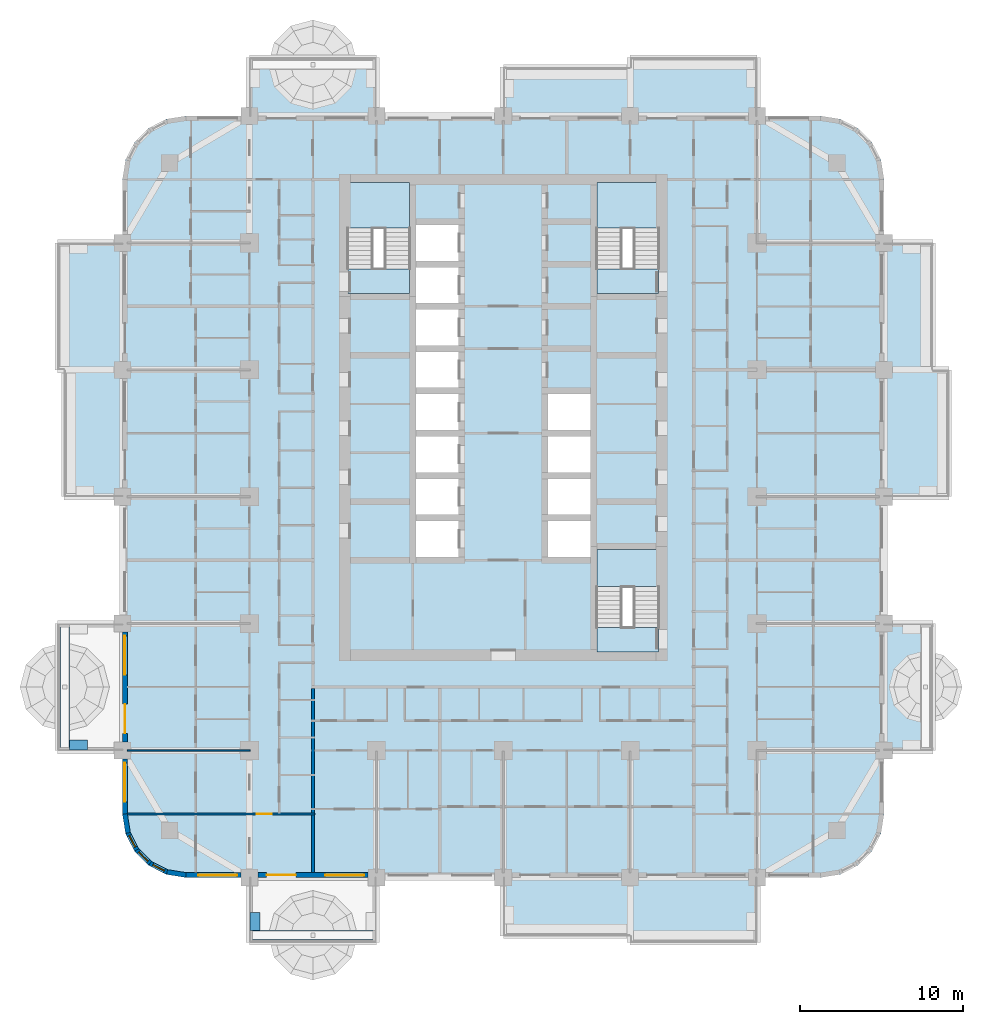
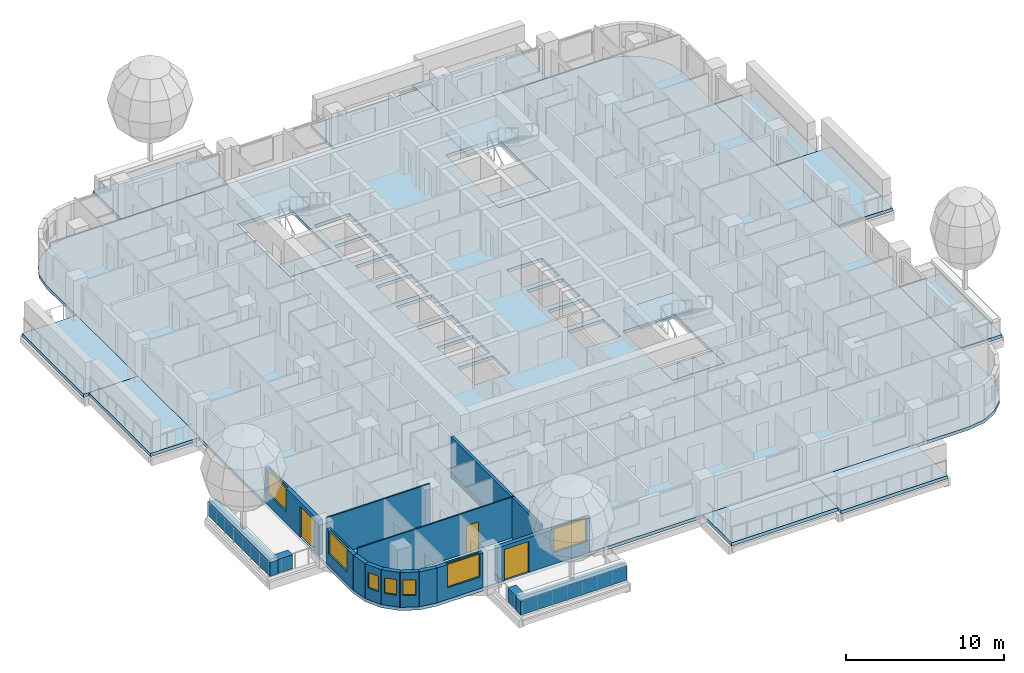
# One storey, part 2 of 19: 17 slabs, 16 walls, 7 windows, 3 doors, 10 openings, 3 elements without a shape of their own.
"""IFC4 building model written with IfcOpenShell, lengths in metres."""

import ifcopenshell
import ifcopenshell.guid

model = None  # the IFC model being written
_history = None  # IfcOwnerHistory: only IFC2X3 demands one
_inside = {}  # id of a spatial element -> (the spatial element, [elements in it])
_under = {}  # id of a project, library or spatial element -> (it, [spatial elements below it])
_declared = {}  # id of a project -> (the project, [libraries it declares])
_typed = {}  # id of a type object -> (the type object, [elements of that type])
_made_of = {}  # id of a material, layer set ... -> (it, [elements and type objects made of it])


def new_model(schema):
    """Start an empty IFC model of exactly this schema.

    Asked for "IFC4X3", IfcOpenShell would pick the latest addendum, in which some entities
    have other attributes; the version numbers below select the first issue.
    IFC2X3 requires an IfcOwnerHistory on every rooted entity: one is made here for all.
    """
    global model, _history
    if schema == "IFC4X3":
        model = ifcopenshell.file(schema_version=(4, 3, 0, 0))
    else:
        model = ifcopenshell.file(schema=schema)
    _inside.clear()
    _under.clear()
    _declared.clear()
    _typed.clear()
    _made_of.clear()
    _history = None
    if model.schema == "IFC2X3":
        org = make("IfcOrganization", Name="unknown")
        user = make(
            "IfcPersonAndOrganization",
            ThePerson=make("IfcPerson", FamilyName="unknown"),
            TheOrganization=org,
        )
        app = make(
            "IfcApplication",
            ApplicationDeveloper=org,
            Version="unknown",
            ApplicationFullName="unknown",
            ApplicationIdentifier="unknown",
        )
        _history = make(
            "IfcOwnerHistory",
            OwningUser=user,
            OwningApplication=app,
            ChangeAction="ADDED",
            CreationDate=0,
        )
    return model


def make(cls, **values):
    """One entity of the class cls with the attributes given. An attribute that is None is left unset."""
    return model.create_entity(
        cls, **{name: value for name, value in values.items() if value is not None}
    )


def rooted(cls, **values):
    """An entity with a GlobalId (a new one), such as an element, a storey or a relation."""
    return make(cls, GlobalId=ifcopenshell.guid.new(), OwnerHistory=_history, **values)


def si_unit(unit_type, name, prefix=None):
    """IfcSIUnit, for example si_unit("LENGTHUNIT", "METRE", prefix="MILLI")."""
    return make("IfcSIUnit", UnitType=unit_type, Prefix=prefix, Name=name)


def assignment(units):
    """IfcUnitAssignment: the units of a project."""
    return None if units is None else make("IfcUnitAssignment", Units=units)


def point(xyz):
    """IfcCartesianPoint."""
    return None if xyz is None else make("IfcCartesianPoint", Coordinates=xyz)


def direction(xyz):
    """IfcDirection."""
    return None if xyz is None else make("IfcDirection", DirectionRatios=xyz)


def frame(location, z_axis=None, x_axis=None):
    """IfcAxis2Placement3D, a coordinate frame: its origin and axes. An axis left out is left unset."""
    return make(
        "IfcAxis2Placement3D",
        Location=point(location),
        Axis=direction(z_axis),
        RefDirection=direction(x_axis),
    )


def frame_2d(location, x_axis=None):
    """IfcAxis2Placement2D, a coordinate frame in the plane: its origin and x axis."""
    return make(
        "IfcAxis2Placement2D", Location=point(location), RefDirection=direction(x_axis)
    )


def origin():
    """The frame at (0, 0, 0) with its axes left unset."""
    return frame((0.0, 0.0, 0.0))


def place(relative_to, where):
    """IfcLocalPlacement: puts the frame where relative to a parent placement (None: the world)."""
    return make(
        "IfcLocalPlacement", PlacementRelTo=relative_to, RelativePlacement=where
    )


def context(
    kind, dimensions, precision=None, world=None, true_north=None, identifier=None
):
    """IfcGeometricRepresentationContext, for example the 3D "Model" context."""
    return make(
        "IfcGeometricRepresentationContext",
        ContextIdentifier=identifier,
        ContextType=kind,
        CoordinateSpaceDimension=dimensions,
        Precision=precision,
        WorldCoordinateSystem=world,
        TrueNorth=true_north,
    )


def subcontext(parent, identifier, kind, view, scale=None):
    """IfcGeometricRepresentationSubContext, for example "Body" below "Model"."""
    return make(
        "IfcGeometricRepresentationSubContext",
        ContextIdentifier=identifier,
        ContextType=kind,
        ParentContext=parent,
        TargetScale=scale,
        TargetView=view,
    )


def project(units=None, contexts=None):
    """IfcProject with its units and contexts."""
    return rooted(
        "IfcProject",
        Name="project",
        RepresentationContexts=contexts,
        UnitsInContext=assignment(units),
    )


def spatial(cls, under=None, at=None, **own):
    """A site, building, storey or space (cls), placed at a placement, below another one or the project."""
    s = rooted(cls, ObjectPlacement=at, **own)
    if under is not None:
        _under.setdefault(under.id(), (under, []))[1].append(s)
    return s


def polyline(points):
    """IfcPolyline through the points."""
    return make("IfcPolyline", Points=[point(p) for p in points])


def profile(cls, at=None, kind="AREA", **sizes):
    """A parametric profile (cls). Its sizes go by their IFC names, for example OverallWidth=200.0."""
    return make(cls, ProfileType=kind, Position=at, **sizes)


def rectangle(**sizes):
    """IfcRectangleProfileDef."""
    return profile("IfcRectangleProfileDef", **sizes)


def outline(outer, holes=None, kind="AREA"):
    """IfcArbitraryClosedProfileDef: a profile drawn as a closed curve; with holes, ...WithVoids."""
    if holes is None:
        return make("IfcArbitraryClosedProfileDef", ProfileType=kind, OuterCurve=outer)
    return make(
        "IfcArbitraryProfileDefWithVoids",
        ProfileType=kind,
        OuterCurve=outer,
        InnerCurves=holes,
    )


def extrude(swept, where, along, depth):
    """IfcExtrudedAreaSolid: the profile swept, set in the frame where, extruded along a direction by depth."""
    return make(
        "IfcExtrudedAreaSolid",
        SweptArea=swept,
        Position=where,
        ExtrudedDirection=direction(along),
        Depth=depth,
    )


def shape(context_of_items, identifier, shape_type, items):
    """IfcShapeRepresentation: the items that make up one representation, for example the "Body"."""
    return make(
        "IfcShapeRepresentation",
        ContextOfItems=context_of_items,
        RepresentationIdentifier=identifier,
        RepresentationType=shape_type,
        Items=items,
    )


def material(Name=None, Category=None):
    """IfcMaterial."""
    return make("IfcMaterial", Name=Name, Category=Category)


def layer(
    of_material, thickness, ventilated=None, Name=None, Category=None, Priority=None
):
    """IfcMaterialLayer: one layer of a wall or slab, of a material (None: an air gap)."""
    return make(
        "IfcMaterialLayer",
        Material=of_material,
        LayerThickness=thickness,
        IsVentilated=ventilated,
        Name=Name,
        Category=Category,
        Priority=Priority,
    )


def layer_set(layers, Name=None):
    """IfcMaterialLayerSet."""
    return make("IfcMaterialLayerSet", MaterialLayers=layers, LayerSetName=Name)


def made_of(thing, what):
    """Note that an element or type object is made of a material, layer set ...; save() writes the relation."""
    if what is not None:
        _made_of.setdefault(what.id(), (what, []))[1].append(thing)
    return thing


def type_object(cls, material=None, **own):
    """A type object (cls), such as IfcWallType, which elements share."""
    return made_of(rooted(cls, **own), material)


def element(
    cls,
    number,
    at=None,
    inside=None,
    cuts=None,
    type_object=None,
    material=None,
    context=None,
    identifier="Body",
    shape_type=None,
    held_by="IfcProductDefinitionShape",
    body=None,
    shapes=None,
    **own,
):
    """One element of the class cls, such as IfcWall. Its Tag is "e" and its number.

    at: its placement. inside: the storey or other place that contains it. cuts: it is an
    opening in that element (IfcRelVoidsElement). A single representation is given by context,
    identifier, shape_type and body (its items); several are given by shapes. held_by: the class
    of the entity that holds the representations. save() writes the other relations.
    """
    e = rooted(cls, Tag="e%d" % number, ObjectPlacement=at, **own)
    if body is not None:
        shapes = [shape(context, identifier, shape_type, body)]
    if shapes is not None:
        e.Representation = make(held_by, Representations=shapes)
    if inside is not None:
        _inside.setdefault(inside.id(), (inside, []))[1].append(e)
    if cuts is not None:
        rooted(
            "IfcRelVoidsElement", RelatingBuildingElement=cuts, RelatedOpeningElement=e
        )
    if type_object is not None:
        _typed.setdefault(type_object.id(), (type_object, []))[1].append(e)
    return made_of(e, material)


def fill(opening, filler):
    """IfcRelFillsElement: the door or window that sits in an opening."""
    return rooted(
        "IfcRelFillsElement",
        RelatingOpeningElement=opening,
        RelatedBuildingElement=filler,
    )


def aggregate(whole, parts):
    """IfcRelAggregates: a whole, such as a stair, and the parts it consists of."""
    return rooted("IfcRelAggregates", RelatingObject=whole, RelatedObjects=parts)


def save(model, path):
    """Write the relations noted so far, then the file.

    IfcRelAggregates (storeys below a building ...), IfcRelContainedInSpatialStructure (elements
    in a storey), IfcRelDefinesByType, IfcRelAssociatesMaterial and IfcRelDeclares: one each for
    every whole, place, type object, material and project.
    """
    for whole, parts in _under.values():
        aggregate(whole, parts)
    for where, things in _inside.values():
        rooted(
            "IfcRelContainedInSpatialStructure",
            RelatedElements=things,
            RelatingStructure=where,
        )
    for kind, things in _typed.values():
        rooted("IfcRelDefinesByType", RelatedObjects=things, RelatingType=kind)
    for what, things in _made_of.values():
        rooted("IfcRelAssociatesMaterial", RelatedObjects=things, RelatingMaterial=what)
    for by, libraries in _declared.values():
        rooted("IfcRelDeclares", RelatingContext=by, RelatedDefinitions=libraries)
    model.write(path)


model = new_model("IFC4")

# Units and contexts
model_context = context("Model", 3, precision=1e-05, world=origin(), true_north=direction((0.0, 1.0)))
body_context = subcontext(model_context, "Body", "Model", "MODEL_VIEW")
ifc_project = project(units=[si_unit("LENGTHUNIT", "METRE"), si_unit("AREAUNIT", "SQUARE_METRE"), si_unit("VOLUMEUNIT", "CUBIC_METRE"), si_unit("PLANEANGLEUNIT", "RADIAN"), si_unit("MASSUNIT", "GRAM", prefix="KILO")], contexts=[model_context])

# Site, building, storey
site_placement = place(None, origin())
site = spatial("IfcSite", under=ifc_project, at=site_placement, CompositionType="ELEMENT")
building_placement = place(site_placement, origin())
building = spatial("IfcBuilding", under=site, at=building_placement, Name="Ludao Terraces", CompositionType="ELEMENT")
storey_placement = place(building_placement, frame((0.0, 0.0, 36.5)))
storey = spatial("IfcBuildingStorey", under=building, at=storey_placement, Name="L09", CompositionType="ELEMENT", Elevation=36.5)

# Slabs
ifc_material_1 = material(Name="Concrete C40", Category="concrete")
ifc_layer_1 = layer(ifc_material_1, 0.25)
ifc_layer_set_1 = layer_set([ifc_layer_1], Name="Balcony slab 250 C40")
slab_type_1 = type_object("IfcSlabType", Name="Balcony slab 250 C40", PredefinedType="USERDEFINED", material=ifc_layer_set_1)
slab_1_placement = place(storey_placement, frame((0.0, 0.0, -0.25)))
element("IfcSlab", 1, at=slab_1_placement, inside=storey, type_object=slab_type_1, Name="Balcony L09 S3", ObjectType="BALCONY", PredefinedType="USERDEFINED", context=body_context, shape_type="SweptSolid", body=[
    extrude(outline(polyline([(85.0, 38.0), (92.800048828125, 38.0), (92.800048828125, 41.60009765625), (85.0, 41.60009765625), (85.0, 38.0)])), origin(), (0.0, 0.0, 1.0), 0.25),
])
slab_2_placement = place(storey_placement, frame((0.0, 0.0, -0.25)))
element("IfcSlab", 2, at=slab_2_placement, inside=storey, type_object=slab_type_1, Name="Balcony L09 S4", ObjectType="BALCONY", PredefinedType="USERDEFINED", context=body_context, shape_type="SweptSolid", body=[
    extrude(outline(polyline([(92.800048828125, 37.60009765625), (100.60009765625, 37.60009765625), (100.60009765625, 41.60009765625), (92.800048828125, 41.60009765625), (92.800048828125, 37.60009765625)])), origin(), (0.0, 0.0, 1.0), 0.25),
])
slab_3_placement = place(storey_placement, frame((0.0, 0.0, -0.25)))
element("IfcSlab", 3, at=slab_3_placement, inside=storey, type_object=slab_type_1, Name="Balcony L09 E1", ObjectType="BALCONY", PredefinedType="USERDEFINED", context=body_context, shape_type="SweptSolid", body=[
    extrude(outline(polyline([(108.39990234375, 49.39990234375), (111.39990234375, 49.39990234375), (111.39990234375, 57.199951171875), (108.39990234375, 57.199951171875), (108.39990234375, 49.39990234375)])), origin(), (0.0, 0.0, 1.0), 0.25),
])
slab_4_placement = place(storey_placement, frame((0.0, 0.0, -0.25)))
element("IfcSlab", 4, at=slab_4_placement, inside=storey, type_object=slab_type_1, Name="Balcony L09 E3", ObjectType="BALCONY", PredefinedType="USERDEFINED", context=body_context, shape_type="SweptSolid", body=[
    extrude(outline(polyline([(108.39990234375, 65.0), (112.39990234375, 65.0), (112.39990234375, 72.800048828125), (108.39990234375, 72.800048828125), (108.39990234375, 65.0)])), origin(), (0.0, 0.0, 1.0), 0.25),
])
slab_5_placement = place(storey_placement, frame((0.0, 0.0, -0.25)))
element("IfcSlab", 5, at=slab_5_placement, inside=storey, type_object=slab_type_1, Name="Balcony L09 E4", ObjectType="BALCONY", PredefinedType="USERDEFINED", context=body_context, shape_type="SweptSolid", body=[
    extrude(outline(polyline([(108.39990234375, 72.800048828125), (111.39990234375, 72.800048828125), (111.39990234375, 80.60009765625), (108.39990234375, 80.60009765625), (108.39990234375, 72.800048828125)])), origin(), (0.0, 0.0, 1.0), 0.25),
])
slab_6_placement = place(storey_placement, frame((0.0, 0.0, -0.25)))
element("IfcSlab", 6, at=slab_6_placement, inside=storey, type_object=slab_type_1, Name="Balcony L09 N1", ObjectType="BALCONY", PredefinedType="USERDEFINED", context=body_context, shape_type="SweptSolid", body=[
    extrude(outline(polyline([(69.39990234375, 88.39990234375), (77.199951171875, 88.39990234375), (77.199951171875, 92.0), (69.39990234375, 92.0), (69.39990234375, 88.39990234375)])), origin(), (0.0, 0.0, 1.0), 0.25),
])
slab_7_placement = place(storey_placement, frame((0.0, 0.0, -0.25)))
element("IfcSlab", 7, at=slab_7_placement, inside=storey, type_object=slab_type_1, Name="Balcony L09 N3", ObjectType="BALCONY", PredefinedType="USERDEFINED", context=body_context, shape_type="SweptSolid", body=[
    extrude(outline(polyline([(85.0, 88.39990234375), (92.800048828125, 88.39990234375), (92.800048828125, 91.39990234375), (85.0, 91.39990234375), (85.0, 88.39990234375)])), origin(), (0.0, 0.0, 1.0), 0.25),
])
slab_8_placement = place(storey_placement, frame((0.0, 0.0, -0.25)))
element("IfcSlab", 8, at=slab_8_placement, inside=storey, type_object=slab_type_1, Name="Balcony L09 N4", ObjectType="BALCONY", PredefinedType="USERDEFINED", context=body_context, shape_type="SweptSolid", body=[
    extrude(outline(polyline([(92.800048828125, 88.39990234375), (100.60009765625, 88.39990234375), (100.60009765625, 92.0), (92.800048828125, 92.0), (92.800048828125, 88.39990234375)])), origin(), (0.0, 0.0, 1.0), 0.25),
])
slab_9_placement = place(storey_placement, frame((0.0, 0.0, -0.25)))
element("IfcSlab", 9, at=slab_9_placement, inside=storey, type_object=slab_type_1, Name="Balcony L09 W3", ObjectType="BALCONY", PredefinedType="USERDEFINED", context=body_context, shape_type="SweptSolid", body=[
    extrude(outline(polyline([(58.0, 65.0), (61.60009765625, 65.0), (61.60009765625, 72.800048828125), (58.0, 72.800048828125), (58.0, 65.0)])), origin(), (0.0, 0.0, 1.0), 0.25),
])
slab_10_placement = place(storey_placement, frame((0.0, 0.0, -0.25)))
element("IfcSlab", 10, at=slab_10_placement, inside=storey, type_object=slab_type_1, Name="Balcony L09 W4", ObjectType="BALCONY", PredefinedType="USERDEFINED", context=body_context, shape_type="SweptSolid", body=[
    extrude(outline(polyline([(57.60009765625, 72.800048828125), (61.60009765625, 72.800048828125), (61.60009765625, 80.60009765625), (57.60009765625, 80.60009765625), (57.60009765625, 72.800048828125)])), origin(), (0.0, 0.0, 1.0), 0.25),
])
ifc_layer_2 = layer(ifc_material_1, 0.25)
ifc_layer_set_2 = layer_set([ifc_layer_2], Name="Floor slab 250 C40")
slab_type_2 = type_object("IfcSlabType", Name="Floor slab 250 C40", PredefinedType="FLOOR", material=ifc_layer_set_2)
slab_11_placement = place(storey_placement, frame((0.0, 0.0, -0.25)))
element("IfcSlab", 11, at=slab_11_placement, inside=storey, type_object=slab_type_2, Name="Slab L09", PredefinedType="FLOOR", context=body_context, shape_type="SweptSolid", body=[
    extrude(outline(polyline([(104.5, 41.60009765625), (105.705078125, 41.790771484375), (106.79248046875, 42.3447265625), (107.6552734375, 43.20751953125), (108.209228515625, 44.294921875), (108.39990234375, 45.5), (108.39990234375, 84.5), (108.209228515625, 85.705078125), (107.6552734375, 86.79248046875), (106.79248046875, 87.6552734375), (105.705078125, 88.209228515625), (104.5, 88.39990234375), (65.5, 88.39990234375), (64.294921875, 88.209228515625), (63.20751953125, 87.6552734375), (62.3447265625, 86.79248046875), (61.790771484375, 85.705078125), (61.60009765625, 84.5), (61.60009765625, 45.5), (61.790771484375, 44.294921875), (62.3447265625, 43.20751953125), (63.20751953125, 42.3447265625), (64.294921875, 41.790771484375), (65.5, 41.60009765625), (104.5, 41.60009765625)]), holes=[polyline([(79.64990234375, 61.300048828125), (82.25, 61.300048828125), (82.25, 63.5), (79.64990234375, 63.5), (79.64990234375, 61.300048828125)]), polyline([(79.64990234375, 63.89990234375), (82.25, 63.89990234375), (82.25, 66.10009765625), (79.64990234375, 66.10009765625), (79.64990234375, 63.89990234375)]), polyline([(79.64990234375, 66.5), (82.25, 66.5), (82.25, 68.699951171875), (79.64990234375, 68.699951171875), (79.64990234375, 66.5)]), polyline([(79.64990234375, 69.10009765625), (82.25, 69.10009765625), (82.25, 71.300048828125), (79.64990234375, 71.300048828125), (79.64990234375, 69.10009765625)]), polyline([(79.64990234375, 71.699951171875), (82.25, 71.699951171875), (82.25, 73.89990234375), (79.64990234375, 73.89990234375), (79.64990234375, 71.699951171875)]), polyline([(79.64990234375, 74.300048828125), (82.25, 74.300048828125), (82.25, 76.5), (79.64990234375, 76.5), (79.64990234375, 74.300048828125)]), polyline([(79.64990234375, 76.89990234375), (82.25, 76.89990234375), (82.25, 79.10009765625), (79.64990234375, 79.10009765625), (79.64990234375, 76.89990234375)]), polyline([(79.64990234375, 79.5), (82.25, 79.5), (82.25, 81.699951171875), (79.64990234375, 81.699951171875), (79.64990234375, 79.5)]), polyline([(87.75, 61.300048828125), (90.35009765625, 61.300048828125), (90.35009765625, 63.5), (87.75, 63.5), (87.75, 61.300048828125)]), polyline([(87.75, 63.89990234375), (90.35009765625, 63.89990234375), (90.35009765625, 66.10009765625), (87.75, 66.10009765625), (87.75, 63.89990234375)]), polyline([(87.75, 66.5), (90.35009765625, 66.5), (90.35009765625, 68.699951171875), (87.75, 68.699951171875), (87.75, 66.5)]), polyline([(87.75, 69.10009765625), (90.35009765625, 69.10009765625), (90.35009765625, 71.300048828125), (87.75, 71.300048828125), (87.75, 69.10009765625)]), polyline([(75.449951171875, 77.5), (79.25, 77.5), (79.25, 84.239990234375), (75.449951171875, 84.239990234375), (75.449951171875, 77.5)]), polyline([(90.75, 77.5), (94.550048828125, 77.5), (94.550048828125, 84.239990234375), (90.75, 84.239990234375), (90.75, 77.5)]), polyline([(90.75, 55.449951171875), (94.550048828125, 55.449951171875), (94.550048828125, 61.75), (90.75, 61.75), (90.75, 55.449951171875)])]), origin(), (0.0, 0.0, 1.0), 0.25),
])

# Stair, slabs
stair_type = type_object("IfcStairType", Name="INT Stair", PredefinedType="HALF_TURN_STAIR", material=ifc_material_1)
stair_1_placement = place(storey_placement, origin())
stair_1 = element("IfcStair", 12, at=stair_1_placement, inside=storey, type_object=stair_type, Name="EXIT STAIR 1", PredefinedType="HALF_TURN_STAIR")
ifc_layer_3 = layer(ifc_material_1, 0.199951171875)
ifc_layer_set_3 = layer_set([ifc_layer_3], Name="INT Stair landing 200")
slab_type_3 = type_object("IfcSlabType", Name="INT Stair landing 200", PredefinedType="LANDING", material=ifc_layer_set_3)
slab_12_placement = place(storey_placement, frame((0.0, 0.0, 1.5)))
slab_12 = element("IfcSlab", 13, at=slab_12_placement, type_object=slab_type_3, Name="ST1 landing 1", PredefinedType="LANDING", context=body_context, shape_type="SweptSolid", body=[
    extrude(outline(polyline([(75.449951171875, 81.52001953125), (79.25, 81.52001953125), (79.25, 84.300048828125), (75.449951171875, 84.300048828125), (75.449951171875, 81.52001953125)])), origin(), (0.0, 0.0, 1.0), 0.199951171875),
])
slab_13_placement = place(storey_placement, frame((0.0, 0.0, -0.199951171875)))
slab_13 = element("IfcSlab", 14, at=slab_13_placement, type_object=slab_type_3, Name="ST1 landing 2", PredefinedType="LANDING", context=body_context, shape_type="SweptSolid", body=[
    extrude(outline(polyline([(75.449951171875, 77.5), (79.25, 77.5), (79.25, 79.0), (75.449951171875, 79.0), (75.449951171875, 77.5)])), origin(), (0.0, 0.0, 1.0), 0.199951171875),
])
aggregate(stair_1, [slab_12, slab_13])

stair_2_placement = place(storey_placement, origin())
stair_2 = element("IfcStair", 15, at=stair_2_placement, inside=storey, type_object=stair_type, Name="EXIT STAIR 2", PredefinedType="HALF_TURN_STAIR")
slab_14_placement = place(storey_placement, frame((0.0, 0.0, 1.5)))
slab_14 = element("IfcSlab", 16, at=slab_14_placement, type_object=slab_type_3, Name="ST2 landing 1", PredefinedType="LANDING", context=body_context, shape_type="SweptSolid", body=[
    extrude(outline(polyline([(90.75, 81.52001953125), (94.550048828125, 81.52001953125), (94.550048828125, 84.300048828125), (90.75, 84.300048828125), (90.75, 81.52001953125)])), origin(), (0.0, 0.0, 1.0), 0.199951171875),
])
slab_15_placement = place(storey_placement, frame((0.0, 0.0, -0.199951171875)))
slab_15 = element("IfcSlab", 17, at=slab_15_placement, type_object=slab_type_3, Name="ST2 landing 2", PredefinedType="LANDING", context=body_context, shape_type="SweptSolid", body=[
    extrude(outline(polyline([(90.75, 77.5), (94.550048828125, 77.5), (94.550048828125, 79.0), (90.75, 79.0), (90.75, 77.5)])), origin(), (0.0, 0.0, 1.0), 0.199951171875),
])
aggregate(stair_2, [slab_14, slab_15])

stair_3_placement = place(storey_placement, origin())
stair_3 = element("IfcStair", 18, at=stair_3_placement, inside=storey, type_object=stair_type, Name="EXIT STAIR 3", PredefinedType="HALF_TURN_STAIR")
slab_16_placement = place(storey_placement, frame((0.0, 0.0, 1.5)))
slab_16 = element("IfcSlab", 19, at=slab_16_placement, type_object=slab_type_3, Name="ST3 landing 1", PredefinedType="LANDING", context=body_context, shape_type="SweptSolid", body=[
    extrude(outline(polyline([(90.75, 59.469970703125), (94.550048828125, 59.469970703125), (94.550048828125, 61.75), (90.75, 61.75), (90.75, 59.469970703125)])), origin(), (0.0, 0.0, 1.0), 0.199951171875),
])
slab_17_placement = place(storey_placement, frame((0.0, 0.0, -0.199951171875)))
slab_17 = element("IfcSlab", 20, at=slab_17_placement, type_object=slab_type_3, Name="ST3 landing 2", PredefinedType="LANDING", context=body_context, shape_type="SweptSolid", body=[
    extrude(outline(polyline([(90.75, 55.449951171875), (94.550048828125, 55.449951171875), (94.550048828125, 56.949951171875), (90.75, 56.949951171875), (90.75, 55.449951171875)])), origin(), (0.0, 0.0, 1.0), 0.199951171875),
])
aggregate(stair_3, [slab_16, slab_17])

# Walls
ifc_layer_4 = layer(ifc_material_1, 0.60009765625)
ifc_layer_set_4 = layer_set([ifc_layer_4], Name="ENV Planter trough 600")
wall_type_1 = type_object("IfcWallType", Name="ENV Planter trough 600", PredefinedType="USERDEFINED", material=ifc_layer_set_4)
wall_1_placement = place(storey_placement, frame((69.39990234375, 38.050048828125, 0.0), z_axis=(0.0, 0.0, 1.0), x_axis=(1.0, 0.0, 0.0)))
element("IfcWall", 21, at=wall_1_placement, inside=storey, type_object=wall_type_1, Name="PL-L09-S1", ObjectType="PLANTER", PredefinedType="USERDEFINED", context=body_context, shape_type="SweptSolid", body=[
    extrude(rectangle(XDim=7.800048828125, YDim=0.60009765625, at=frame_2d((3.89990234375, 0.0))), origin(), (0.0, 0.0, 1.0), 1.10009765625),
])
wall_2_placement = place(storey_placement, frame((69.75, 38.35009765625, 0.0), z_axis=(0.0, 0.0, 1.0), x_axis=(0.0, 1.0, 0.0)))
element("IfcWall", 22, at=wall_2_placement, inside=storey, type_object=wall_type_1, Name="PL-L09-S1-SA", ObjectType="PLANTER", PredefinedType="USERDEFINED", context=body_context, shape_type="SweptSolid", body=[
    extrude(rectangle(XDim=1.099853515625, YDim=0.60009765625, at=frame_2d((0.5498046875, 0.0))), origin(), (0.0, 0.0, 1.0), 1.10009765625),
])
wall_3_placement = place(storey_placement, frame((58.050048828125, 49.39990234375, 0.0), z_axis=(0.0, 0.0, 1.0), x_axis=(0.0, 1.0, 0.0)))
element("IfcWall", 23, at=wall_3_placement, inside=storey, type_object=wall_type_1, Name="PL-L09-W1", ObjectType="PLANTER", PredefinedType="USERDEFINED", context=body_context, shape_type="SweptSolid", body=[
    extrude(rectangle(XDim=7.800048828125, YDim=0.60009765625, at=frame_2d((3.89990234375, 0.0))), origin(), (0.0, 0.0, 1.0), 1.10009765625),
])
wall_4_placement = place(storey_placement, frame((58.35009765625, 49.75, 0.0), z_axis=(0.0, 0.0, 1.0), x_axis=(1.0, 0.0, 0.0)))
element("IfcWall", 24, at=wall_4_placement, inside=storey, type_object=wall_type_1, Name="PL-L09-W1-SA", ObjectType="PLANTER", PredefinedType="USERDEFINED", context=body_context, shape_type="SweptSolid", body=[
    extrude(rectangle(XDim=1.099853515625, YDim=0.60009765625, at=frame_2d((0.5498046875, 0.0))), origin(), (0.0, 0.0, 1.0), 1.10009765625),
])

# Wall, opening, window
ifc_material_2 = material(Name="Granite cladding", Category="masonry")
ifc_layer_5 = layer(ifc_material_2, 0.0400390625, Category="stone")
ifc_material_3 = material(Name="Mineral wool")
ifc_layer_6 = layer(ifc_material_3, 0.06005859375)
ifc_layer_7 = layer(ifc_material_1, 0.199951171875, Category="concrete")
ifc_layer_set_5 = layer_set([ifc_layer_5, ifc_layer_6, ifc_layer_7], Name="ENV Stone-clad wall 300")
wall_type_2 = type_object("IfcWallType", Name="ENV Stone-clad wall 300", PredefinedType="SOLIDWALL", material=ifc_layer_set_5)
wall_5_placement = place(storey_placement, frame((65.5, 41.75, 0.0), z_axis=(0.0, 0.0, 1.0), x_axis=(1.0, 0.0, 0.0)))
wall_5 = element("IfcWall", 25, at=wall_5_placement, inside=storey, type_object=wall_type_2, Name="EW-L09-S1", PredefinedType="SOLIDWALL", context=body_context, shape_type="SweptSolid", body=[
    extrude(rectangle(XDim=3.375, YDim=0.300048828125, at=frame_2d((1.6875, 0.0))), origin(), (0.0, 0.0, 1.0), 2.699951171875),
])
opening_1_placement = place(wall_5_placement, frame((0.75, 0.0, 0.89990234375)))
opening_1 = element("IfcOpeningElement", 26, at=opening_1_placement, cuts=wall_5, Name="Opening W1", PredefinedType="OPENING", context=body_context, shape_type="SweptSolid", body=[
    extrude(rectangle(XDim=2.39990234375, YDim=1.800048828125, at=frame_2d((1.199951171875, 0.89990234375))), frame((0.0, 0.16015625, 0.0), z_axis=(0.0, -1.0, 0.0), x_axis=(1.0, 0.0, 0.0)), (0.0, 0.0, 1.0), 0.320068359375),
])
ifc_material_4 = material(Name="Clear glass in aluminium frame", Category="aluminium")
ifc_layer_8 = layer(ifc_material_4, 0.06005859375)
ifc_layer_set_6 = layer_set([ifc_layer_8], Name="ENV Window W1 2400x1800")
window_type_1 = type_object("IfcWindowType", Name="ENV Window W1 2400x1800", PartitioningType="DOUBLE_PANEL_VERTICAL", PredefinedType="WINDOW", material=ifc_layer_set_6)
window_1_placement = place(opening_1_placement, origin())
window_1 = element("IfcWindow", 27, at=window_1_placement, inside=storey, type_object=window_type_1, Name="W-L09-S1-1", OverallHeight=1.800048828125, OverallWidth=2.39990234375, PartitioningType="DOUBLE_PANEL_VERTICAL", PredefinedType="WINDOW", context=body_context, shape_type="SweptSolid", body=[
    extrude(rectangle(XDim=2.39990234375, YDim=1.800048828125, at=frame_2d((1.199951171875, 0.89990234375))), frame((0.0, 0.030029296875, 0.0), z_axis=(0.0, -1.0, 0.0), x_axis=(1.0, 0.0, 0.0)), (0.0, 0.0, 1.0), 0.06005859375),
])
fill(opening_1, window_1)

# Wall, openings, door, window
wall_6_placement = place(storey_placement, frame((69.925048828125, 41.75, 0.0), z_axis=(0.0, 0.0, 1.0), x_axis=(1.0, 0.0, 0.0)))
wall_6 = element("IfcWall", 28, at=wall_6_placement, inside=storey, type_object=wall_type_2, Name="EW-L09-S2", PredefinedType="SOLIDWALL", context=body_context, shape_type="SweptSolid", body=[
    extrude(rectangle(XDim=6.75, YDim=0.300048828125, at=frame_2d((3.375, 0.0))), origin(), (0.0, 0.0, 1.0), 2.699951171875),
])
opening_2_placement = place(wall_6_placement, frame((0.52490234375, 0.0, 0.0)))
opening_2 = element("IfcOpeningElement", 29, at=opening_2_placement, cuts=wall_6, Name="Opening BD", PredefinedType="OPENING", context=body_context, shape_type="SweptSolid", body=[
    extrude(rectangle(XDim=1.800048828125, YDim=2.39990234375, at=frame_2d((0.89990234375, 1.199951171875))), frame((0.0, 0.16015625, 0.0), z_axis=(0.0, -1.0, 0.0), x_axis=(1.0, 0.0, 0.0)), (0.0, 0.0, 1.0), 0.320068359375),
])
opening_3_placement = place(wall_6_placement, frame((4.125, 0.0, 0.89990234375)))
opening_3 = element("IfcOpeningElement", 30, at=opening_3_placement, cuts=wall_6, Name="Opening W1", PredefinedType="OPENING", context=body_context, shape_type="SweptSolid", body=[
    extrude(rectangle(XDim=2.39990234375, YDim=1.800048828125, at=frame_2d((1.199951171875, 0.89990234375))), frame((0.0, 0.16015625, 0.0), z_axis=(0.0, -1.0, 0.0), x_axis=(1.0, 0.0, 0.0)), (0.0, 0.0, 1.0), 0.320068359375),
])
ifc_material_5 = material(Name="Aluminium glazed door", Category="aluminium")
ifc_layer_9 = layer(ifc_material_5, 0.06005859375)
ifc_layer_set_7 = layer_set([ifc_layer_9], Name="ENV Balcony door BD 1800x2400")
door_type_1 = type_object("IfcDoorType", Name="ENV Balcony door BD 1800x2400", OperationType="DOUBLE_DOOR_SINGLE_SWING", PredefinedType="DOOR", material=ifc_layer_set_7)
door_1_placement = place(opening_2_placement, origin())
door_1 = element("IfcDoor", 31, at=door_1_placement, inside=storey, type_object=door_type_1, Name="BD-L09-S2-1", OperationType="DOUBLE_DOOR_SINGLE_SWING", OverallHeight=2.39990234375, OverallWidth=1.800048828125, PredefinedType="DOOR", context=body_context, shape_type="SweptSolid", body=[
    extrude(rectangle(XDim=1.800048828125, YDim=2.39990234375, at=frame_2d((0.89990234375, 1.199951171875))), frame((0.0, 0.02490234375, 0.0), z_axis=(0.0, -1.0, 0.0), x_axis=(1.0, 0.0, 0.0)), (0.0, 0.0, 1.0), 0.050048828125),
])
fill(opening_2, door_1)
window_2_placement = place(opening_3_placement, origin())
window_2 = element("IfcWindow", 32, at=window_2_placement, inside=storey, type_object=window_type_1, Name="W-L09-S2-2", OverallHeight=1.800048828125, OverallWidth=2.39990234375, PartitioningType="DOUBLE_PANEL_VERTICAL", PredefinedType="WINDOW", context=body_context, shape_type="SweptSolid", body=[
    extrude(rectangle(XDim=2.39990234375, YDim=1.800048828125, at=frame_2d((1.199951171875, 0.89990234375))), frame((0.0, 0.030029296875, 0.0), z_axis=(0.0, -1.0, 0.0), x_axis=(1.0, 0.0, 0.0)), (0.0, 0.0, 1.0), 0.06005859375),
])
fill(opening_3, window_2)

# Wall, opening, window
wall_7_placement = place(storey_placement, frame((61.75, 45.5, 0.0), z_axis=(0.0, 0.0, 1.0), x_axis=(0.0, 1.0, 0.0)))
wall_7 = element("IfcWall", 33, at=wall_7_placement, inside=storey, type_object=wall_type_2, Name="EW-L09-W1", PredefinedType="SOLIDWALL", context=body_context, shape_type="SweptSolid", body=[
    extrude(rectangle(XDim=3.375, YDim=0.300048828125, at=frame_2d((1.6875, 0.0))), origin(), (0.0, 0.0, 1.0), 2.699951171875),
])
opening_4_placement = place(wall_7_placement, frame((0.75, 0.0, 0.89990234375)))
opening_4 = element("IfcOpeningElement", 34, at=opening_4_placement, cuts=wall_7, Name="Opening W1", PredefinedType="OPENING", context=body_context, shape_type="SweptSolid", body=[
    extrude(rectangle(XDim=2.39990234375, YDim=1.800048828125, at=frame_2d((1.199951171875, 0.89990234375))), frame((0.0, 0.16015625, 0.0), z_axis=(0.0, -1.0, 0.0), x_axis=(1.0, 0.0, 0.0)), (0.0, 0.0, 1.0), 0.320068359375),
])
window_3_placement = place(opening_4_placement, origin())
window_3 = element("IfcWindow", 35, at=window_3_placement, inside=storey, type_object=window_type_1, Name="W-L09-W1-1", OverallHeight=1.800048828125, OverallWidth=2.39990234375, PartitioningType="DOUBLE_PANEL_VERTICAL", PredefinedType="WINDOW", context=body_context, shape_type="SweptSolid", body=[
    extrude(rectangle(XDim=2.39990234375, YDim=1.800048828125, at=frame_2d((1.199951171875, 0.89990234375))), frame((0.0, 0.030029296875, 0.0), z_axis=(0.0, -1.0, 0.0), x_axis=(1.0, 0.0, 0.0)), (0.0, 0.0, 1.0), 0.06005859375),
])
fill(opening_4, window_3)

# Wall, openings, door, window
wall_8_placement = place(storey_placement, frame((61.75, 49.925048828125, 0.0), z_axis=(0.0, 0.0, 1.0), x_axis=(0.0, 1.0, 0.0)))
wall_8 = element("IfcWall", 36, at=wall_8_placement, inside=storey, type_object=wall_type_2, Name="EW-L09-W2", PredefinedType="SOLIDWALL", context=body_context, shape_type="SweptSolid", body=[
    extrude(rectangle(XDim=6.75, YDim=0.300048828125, at=frame_2d((3.375, 0.0))), origin(), (0.0, 0.0, 1.0), 2.699951171875),
])
opening_5_placement = place(wall_8_placement, frame((0.52490234375, 0.0, 0.0)))
opening_5 = element("IfcOpeningElement", 37, at=opening_5_placement, cuts=wall_8, Name="Opening BD", PredefinedType="OPENING", context=body_context, shape_type="SweptSolid", body=[
    extrude(rectangle(XDim=1.800048828125, YDim=2.39990234375, at=frame_2d((0.89990234375, 1.199951171875))), frame((0.0, 0.16015625, 0.0), z_axis=(0.0, -1.0, 0.0), x_axis=(1.0, 0.0, 0.0)), (0.0, 0.0, 1.0), 0.320068359375),
])
opening_6_placement = place(wall_8_placement, frame((4.125, 0.0, 0.89990234375)))
opening_6 = element("IfcOpeningElement", 38, at=opening_6_placement, cuts=wall_8, Name="Opening W1", PredefinedType="OPENING", context=body_context, shape_type="SweptSolid", body=[
    extrude(rectangle(XDim=2.39990234375, YDim=1.800048828125, at=frame_2d((1.199951171875, 0.89990234375))), frame((0.0, 0.16015625, 0.0), z_axis=(0.0, -1.0, 0.0), x_axis=(1.0, 0.0, 0.0)), (0.0, 0.0, 1.0), 0.320068359375),
])
door_2_placement = place(opening_5_placement, origin())
door_2 = element("IfcDoor", 39, at=door_2_placement, inside=storey, type_object=door_type_1, Name="BD-L09-W2-1", OperationType="DOUBLE_DOOR_SINGLE_SWING", OverallHeight=2.39990234375, OverallWidth=1.800048828125, PredefinedType="DOOR", context=body_context, shape_type="SweptSolid", body=[
    extrude(rectangle(XDim=1.800048828125, YDim=2.39990234375, at=frame_2d((0.89990234375, 1.199951171875))), frame((0.0, 0.02490234375, 0.0), z_axis=(0.0, -1.0, 0.0), x_axis=(1.0, 0.0, 0.0)), (0.0, 0.0, 1.0), 0.050048828125),
])
fill(opening_5, door_2)
window_4_placement = place(opening_6_placement, origin())
window_4 = element("IfcWindow", 40, at=window_4_placement, inside=storey, type_object=window_type_1, Name="W-L09-W2-2", OverallHeight=1.800048828125, OverallWidth=2.39990234375, PartitioningType="DOUBLE_PANEL_VERTICAL", PredefinedType="WINDOW", context=body_context, shape_type="SweptSolid", body=[
    extrude(rectangle(XDim=2.39990234375, YDim=1.800048828125, at=frame_2d((1.199951171875, 0.89990234375))), frame((0.0, 0.030029296875, 0.0), z_axis=(0.0, -1.0, 0.0), x_axis=(1.0, 0.0, 0.0)), (0.0, 0.0, 1.0), 0.06005859375),
])
fill(opening_6, window_4)

# Wall
wall_9_placement = place(storey_placement, frame((61.75, 45.5, 0.0), z_axis=(0.0, 0.0, 1.0), x_axis=(0.156496880861, -0.987678452879, 0.0)))
element("IfcWall", 41, at=wall_9_placement, inside=storey, type_object=wall_type_2, Name="EW-L09-SW1", PredefinedType="SOLIDWALL", context=body_context, shape_type="SweptSolid", body=[
    extrude(rectangle(XDim=1.173095703125, YDim=0.300048828125, at=frame_2d((0.58642578125, 0.0))), origin(), (0.0, 0.0, 1.0), 2.699951171875),
])

# Wall, opening, window
wall_10_placement = place(storey_placement, frame((61.93359375, 44.34130859375, 0.0), z_axis=(0.0, 0.0, 1.0), x_axis=(0.454025524128, -0.890988677504, 0.0)))
wall_10 = element("IfcWall", 42, at=wall_10_placement, inside=storey, type_object=wall_type_2, Name="EW-L09-SW2", PredefinedType="SOLIDWALL", context=body_context, shape_type="SweptSolid", body=[
    extrude(rectangle(XDim=1.17333984375, YDim=0.300048828125, at=frame_2d((0.586669921875, 0.0))), origin(), (0.0, 0.0, 1.0), 2.699951171875),
])
opening_7_placement = place(wall_10_placement, frame((0.1865234375, 0.0, 0.89990234375)))
opening_7 = element("IfcOpeningElement", 43, at=opening_7_placement, cuts=wall_10, Name="Opening W3", PredefinedType="OPENING", context=body_context, shape_type="SweptSolid", body=[
    extrude(rectangle(XDim=0.800048828125, YDim=1.199951171875, at=frame_2d((0.39990234375, 0.60009765625))), frame((0.0, 0.16015625, 0.0), z_axis=(0.0, -1.0, 0.0), x_axis=(1.0, 0.0, 0.0)), (0.0, 0.0, 1.0), 0.320068359375),
])
ifc_layer_10 = layer(ifc_material_4, 0.06005859375)
ifc_layer_set_8 = layer_set([ifc_layer_10], Name="ENV Window W3 800x1200")
window_type_2 = type_object("IfcWindowType", Name="ENV Window W3 800x1200", PartitioningType="SINGLE_PANEL", PredefinedType="WINDOW", material=ifc_layer_set_8)
window_5_placement = place(opening_7_placement, origin())
window_5 = element("IfcWindow", 44, at=window_5_placement, inside=storey, type_object=window_type_2, Name="W-L09-SW2", OverallHeight=1.199951171875, OverallWidth=0.800048828125, PartitioningType="SINGLE_PANEL", PredefinedType="WINDOW", context=body_context, shape_type="SweptSolid", body=[
    extrude(rectangle(XDim=0.800048828125, YDim=1.199951171875, at=frame_2d((0.39990234375, 0.60009765625))), frame((0.0, 0.030029296875, 0.0), z_axis=(0.0, -1.0, 0.0), x_axis=(1.0, 0.0, 0.0)), (0.0, 0.0, 1.0), 0.06005859375),
])
fill(opening_7, window_5)

wall_11_placement = place(storey_placement, frame((62.46630859375, 43.2958984375, 0.0), z_axis=(0.0, 0.0, 1.0), x_axis=(0.707106781187, -0.707106781187, 0.0)))
wall_11 = element("IfcWall", 45, at=wall_11_placement, inside=storey, type_object=wall_type_2, Name="EW-L09-SW3", PredefinedType="SOLIDWALL", context=body_context, shape_type="SweptSolid", body=[
    extrude(rectangle(XDim=1.173095703125, YDim=0.300048828125, at=frame_2d((0.58642578125, 0.0))), origin(), (0.0, 0.0, 1.0), 2.699951171875),
])
opening_8_placement = place(wall_11_placement, frame((0.1865234375, 0.0, 0.89990234375)))
opening_8 = element("IfcOpeningElement", 46, at=opening_8_placement, cuts=wall_11, Name="Opening W3", PredefinedType="OPENING", context=body_context, shape_type="SweptSolid", body=[
    extrude(rectangle(XDim=0.800048828125, YDim=1.199951171875, at=frame_2d((0.39990234375, 0.60009765625))), frame((0.0, 0.16015625, 0.0), z_axis=(0.0, -1.0, 0.0), x_axis=(1.0, 0.0, 0.0)), (0.0, 0.0, 1.0), 0.320068359375),
])
window_6_placement = place(opening_8_placement, origin())
window_6 = element("IfcWindow", 47, at=window_6_placement, inside=storey, type_object=window_type_2, Name="W-L09-SW3", OverallHeight=1.199951171875, OverallWidth=0.800048828125, PartitioningType="SINGLE_PANEL", PredefinedType="WINDOW", context=body_context, shape_type="SweptSolid", body=[
    extrude(rectangle(XDim=0.800048828125, YDim=1.199951171875, at=frame_2d((0.39990234375, 0.60009765625))), frame((0.0, 0.030029296875, 0.0), z_axis=(0.0, -1.0, 0.0), x_axis=(1.0, 0.0, 0.0)), (0.0, 0.0, 1.0), 0.06005859375),
])
fill(opening_8, window_6)

wall_12_placement = place(storey_placement, frame((63.2958984375, 42.46630859375, 0.0), z_axis=(0.0, 0.0, 1.0), x_axis=(0.890988677504, -0.454025524128, 0.0)))
wall_12 = element("IfcWall", 48, at=wall_12_placement, inside=storey, type_object=wall_type_2, Name="EW-L09-SW4", PredefinedType="SOLIDWALL", context=body_context, shape_type="SweptSolid", body=[
    extrude(rectangle(XDim=1.17333984375, YDim=0.300048828125, at=frame_2d((0.586669921875, 0.0))), origin(), (0.0, 0.0, 1.0), 2.699951171875),
])
opening_9_placement = place(wall_12_placement, frame((0.1865234375, 0.0, 0.89990234375)))
opening_9 = element("IfcOpeningElement", 49, at=opening_9_placement, cuts=wall_12, Name="Opening W3", PredefinedType="OPENING", context=body_context, shape_type="SweptSolid", body=[
    extrude(rectangle(XDim=0.800048828125, YDim=1.199951171875, at=frame_2d((0.39990234375, 0.60009765625))), frame((0.0, 0.16015625, 0.0), z_axis=(0.0, -1.0, 0.0), x_axis=(1.0, 0.0, 0.0)), (0.0, 0.0, 1.0), 0.320068359375),
])
window_7_placement = place(opening_9_placement, origin())
window_7 = element("IfcWindow", 50, at=window_7_placement, inside=storey, type_object=window_type_2, Name="W-L09-SW4", OverallHeight=1.199951171875, OverallWidth=0.800048828125, PartitioningType="SINGLE_PANEL", PredefinedType="WINDOW", context=body_context, shape_type="SweptSolid", body=[
    extrude(rectangle(XDim=0.800048828125, YDim=1.199951171875, at=frame_2d((0.39990234375, 0.60009765625))), frame((0.0, 0.030029296875, 0.0), z_axis=(0.0, -1.0, 0.0), x_axis=(1.0, 0.0, 0.0)), (0.0, 0.0, 1.0), 0.06005859375),
])
fill(opening_9, window_7)

# Wall
wall_13_placement = place(storey_placement, frame((64.34130859375, 41.93359375, 0.0), z_axis=(0.0, 0.0, 1.0), x_axis=(0.987678452879, -0.156496880861, 0.0)))
element("IfcWall", 51, at=wall_13_placement, inside=storey, type_object=wall_type_2, Name="EW-L09-SW5", PredefinedType="SOLIDWALL", context=body_context, shape_type="SweptSolid", body=[
    extrude(rectangle(XDim=1.173095703125, YDim=0.300048828125, at=frame_2d((0.58642578125, 0.0))), origin(), (0.0, 0.0, 1.0), 2.699951171875),
])

# Wall, opening, door
ifc_material_6 = material(Name="Gypsum plasterboard", Category="gypsum")
ifc_layer_11 = layer(ifc_material_6, 0.012451171875, Category="gypsum")
ifc_layer_12 = layer(ifc_material_3, 0.06005859375, Name="insulation")
ifc_material_7 = material(Name="Steel Q235", Category="steel")
ifc_layer_13 = layer(ifc_material_7, 0.014892578125, Name="stud")
ifc_layer_14 = layer(ifc_material_6, 0.012451171875, Category="gypsum")
ifc_layer_set_9 = layer_set([ifc_layer_11, ifc_layer_12, ifc_layer_13, ifc_layer_14], Name="INT Partition 100")
wall_type_3 = type_object("IfcWallType", Name="INT Partition 100", PredefinedType="PARTITIONING", material=ifc_layer_set_9)
wall_14_placement = place(storey_placement, frame((61.900146484375, 45.5, 0.0), z_axis=(0.0, 0.0, 1.0), x_axis=(1.0, 0.0, 0.0)))
wall_14 = element("IfcWall", 52, at=wall_14_placement, inside=storey, type_object=wall_type_3, Name="PW-L09-PW000", PredefinedType="PARTITIONING", context=body_context, shape_type="SweptSolid", body=[
    extrude(rectangle(XDim=11.5, YDim=0.10009765625, at=frame_2d((5.75, 0.0))), origin(), (0.0, 0.0, 1.0), 3.14990234375),
])
opening_10_placement = place(wall_14_placement, frame((7.965087890625, 0.0, 0.0)))
opening_10 = element("IfcOpeningElement", 53, at=opening_10_placement, cuts=wall_14, Name="Opening R02-005", PredefinedType="OPENING", context=body_context, shape_type="SweptSolid", body=[
    extrude(rectangle(XDim=0.89990234375, YDim=2.10009765625, at=frame_2d((0.449951171875, 1.050048828125))), frame((0.0, 0.06005859375, 0.0), z_axis=(0.0, -1.0, 0.0), x_axis=(1.0, 0.0, 0.0)), (0.0, 0.0, 1.0), 0.1201171875),
])
ifc_material_8 = material(Name="Timber door leaf", Category="wood")
door_type_2 = type_object("IfcDoorType", Name="INT Room door 900", OperationType="SINGLE_SWING_LEFT", PredefinedType="DOOR", material=ifc_material_8)
door_3_placement = place(opening_10_placement, origin())
door_3 = element("IfcDoor", 54, at=door_3_placement, inside=storey, type_object=door_type_2, Name="DOOR 005", OperationType="SINGLE_SWING_RIGHT", OverallHeight=2.10009765625, OverallWidth=0.89990234375, PredefinedType="DOOR", context=body_context, shape_type="SweptSolid", body=[
    extrude(rectangle(XDim=0.89990234375, YDim=2.10009765625, at=frame_2d((0.449951171875, 1.050048828125))), frame((0.0, 0.02490234375, 0.0), z_axis=(0.0, -1.0, 0.0), x_axis=(1.0, 0.0, 0.0)), (0.0, 0.0, 1.0), 0.050048828125),
])
fill(opening_10, door_3)

# Walls
wall_15_placement = place(storey_placement, frame((61.900146484375, 49.39990234375, 0.0), z_axis=(0.0, 0.0, 1.0), x_axis=(1.0, 0.0, 0.0)))
element("IfcWall", 55, at=wall_15_placement, inside=storey, type_object=wall_type_3, Name="PW-L09-PW006", PredefinedType="PARTITIONING", context=body_context, shape_type="SweptSolid", body=[
    extrude(rectangle(XDim=7.550048828125, YDim=0.10009765625, at=frame_2d((3.77490234375, 0.0))), origin(), (0.0, 0.0, 1.0), 3.14990234375),
])
ifc_material_9 = material(Name="Autoclaved aerated concrete block B06 A3.5", Category="concrete")
ifc_layer_15 = layer(ifc_material_9, 0.199951171875)
ifc_layer_set_10 = layer_set([ifc_layer_15], Name="INT Party wall 200")
wall_type_4 = type_object("IfcWallType", Name="INT Party wall 200", PredefinedType="PARTITIONING", material=ifc_layer_set_10)
wall_16_placement = place(storey_placement, frame((73.300048828125, 41.900146484375, 0.0), z_axis=(0.0, 0.0, 1.0), x_axis=(0.0, 1.0, 0.0)))
element("IfcWall", 56, at=wall_16_placement, inside=storey, type_object=wall_type_4, Name="PW-L09-PW088", PredefinedType="PARTITIONING", context=body_context, shape_type="SweptSolid", body=[
    extrude(rectangle(XDim=11.300048828125, YDim=0.199951171875, at=frame_2d((5.64990234375, 0.0))), origin(), (0.0, 0.0, 1.0), 3.14990234375),
])

save(model, "model.ifc")
